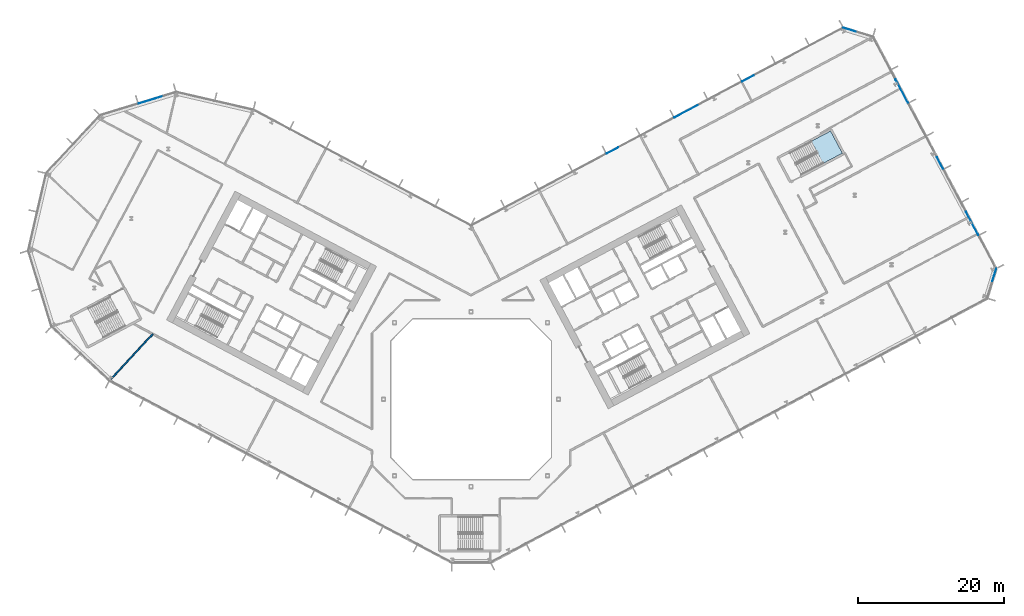
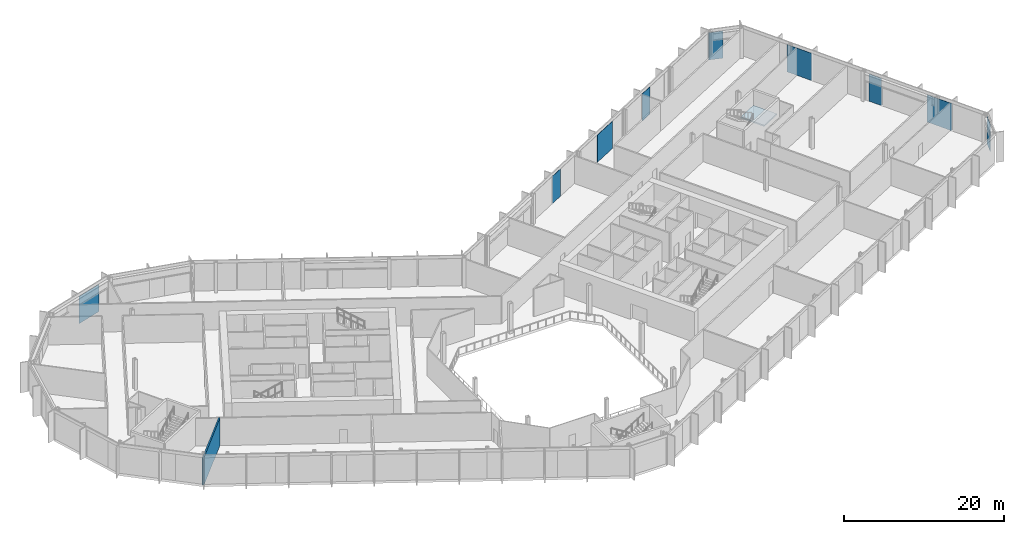
# One storey, part 13 of 31: 9 plates, 1 slab, 1 wall, 6 elements without a shape of their own.
"""IFC4 building model written with IfcOpenShell, lengths in metres."""

from ifc_helpers import new_model, si_unit, direction, frame, frame_2d, origin, origin_2d, place, context, subcontext, project, spatial, polyline, rectangle, outline, extrude, material, layer, layer_set, type_object, element, aggregate, save


model = new_model("IFC4")

# Units and contexts
model_context = context("Model", 3, precision=1e-05, world=origin(), true_north=direction((0.0, 1.0)))
body_context = subcontext(model_context, "Body", "Model", "MODEL_VIEW")
ifc_project = project(units=[si_unit("LENGTHUNIT", "METRE"), si_unit("AREAUNIT", "SQUARE_METRE"), si_unit("VOLUMEUNIT", "CUBIC_METRE"), si_unit("PLANEANGLEUNIT", "RADIAN"), si_unit("MASSUNIT", "GRAM", prefix="KILO")], contexts=[model_context])

# Site, building, storey
site_placement = place(None, origin())
site = spatial("IfcSite", under=ifc_project, at=site_placement, CompositionType="ELEMENT")
building_placement = place(site_placement, origin())
building = spatial("IfcBuilding", under=site, at=building_placement, Name="Cormorant Relay Tower", CompositionType="ELEMENT")
storey_placement = place(building_placement, frame((0.0, 0.0, 103.0)))
storey = spatial("IfcBuildingStorey", under=building, at=storey_placement, Name="L20", CompositionType="ELEMENT", Elevation=103.0)

# Curtain wall, plate
ifc_material_1 = material(Name="Aluminium 6063-T6 anodised bronze", Category="aluminium")
ifc_layer_1 = layer(ifc_material_1, 0.199951171875)
ifc_layer_set_1 = layer_set([ifc_layer_1], Name="CW1 unitised bronze curtain wall with vertical fins")
curtain_wall_type = type_object("IfcCurtainWallType", Name="CW1 unitised bronze curtain wall with vertical fins", PredefinedType="NOTDEFINED", material=ifc_layer_set_1)
curtain_wall_1_placement = place(storey_placement, origin())
curtain_wall_1 = element("IfcCurtainWall", 1, at=curtain_wall_1_placement, inside=storey, type_object=curtain_wall_type, Name="CW1 curtain wall 3", PredefinedType="NOTDEFINED")
ifc_material_2 = material(Name="Tinted laminated glass", Category="glass")
ifc_layer_2 = layer(ifc_material_2, 0.0400390625)
ifc_layer_set_2 = layer_set([ifc_layer_2], Name="CW1 tinted vision panel 1800 module")
plate_type_1 = type_object("IfcPlateType", Name="CW1 tinted vision panel 1800 module", PredefinedType="CURTAIN_PANEL", material=ifc_layer_set_2)
plate_1_placement = place(storey_placement, frame((71.77880859375, 17.04248046875, 0.0), z_axis=(0.0, 0.0, 1.0), x_axis=(0.292371704723, 0.956304755963, 0.0)))
plate_1 = element("IfcPlate", 2, at=plate_1_placement, type_object=plate_type_1, Name="CW1 panel V01", PredefinedType="CURTAIN_PANEL", context=body_context, shape_type="SweptSolid", body=[
    extrude(rectangle(XDim=1.800048828125, YDim=0.0400390625, at=origin_2d()), origin(), (0.0, 0.0, 1.0), 4.14990234375),
])
aggregate(curtain_wall_1, [plate_1])

curtain_wall_2_placement = place(storey_placement, origin())
curtain_wall_2 = element("IfcCurtainWall", 3, at=curtain_wall_2_placement, inside=storey, type_object=curtain_wall_type, Name="CW1 curtain wall 4", PredefinedType="NOTDEFINED")
plate_2_placement = place(storey_placement, frame((64.33935546875, 32.40185546875, 0.0), z_axis=(0.0, 0.0, 1.0), x_axis=(-0.469471562786, 0.882947592859, 0.0)))
plate_2 = element("IfcPlate", 4, at=plate_2_placement, type_object=plate_type_1, Name="CW1 panel V03", PredefinedType="CURTAIN_PANEL", context=body_context, shape_type="SweptSolid", body=[
    extrude(rectangle(XDim=1.800048828125, YDim=0.0400390625, at=origin_2d()), origin(), (0.0, 0.0, 1.0), 4.14990234375),
])

curtain_wall_3_placement = place(storey_placement, origin())
curtain_wall_3 = element("IfcCurtainWall", 5, at=curtain_wall_3_placement, inside=storey, type_object=curtain_wall_type, Name="CW1 curtain wall 5", PredefinedType="NOTDEFINED")
plate_3_placement = place(storey_placement, frame((51.930908203125, 50.69140625, 0.0), z_axis=(0.0, 0.0, 1.0), x_axis=(-0.956304755963, 0.292371704723, 0.0)))
plate_3 = element("IfcPlate", 6, at=plate_3_placement, type_object=plate_type_1, Name="CW1 panel V01", PredefinedType="CURTAIN_PANEL", context=body_context, shape_type="SweptSolid", body=[
    extrude(rectangle(XDim=1.800048828125, YDim=0.0400390625, at=origin_2d()), origin(), (0.0, 0.0, 1.0), 4.14990234375),
])
aggregate(curtain_wall_3, [plate_3])

# Curtain wall, plates
curtain_wall_4_placement = place(storey_placement, origin())
curtain_wall_4 = element("IfcCurtainWall", 7, at=curtain_wall_4_placement, inside=storey, type_object=curtain_wall_type, Name="CW1 curtain wall 6", PredefinedType="NOTDEFINED")
plate_4_placement = place(storey_placement, frame((37.9892578125, 44.005859375, 0.0), z_axis=(0.0, 0.0, 1.0), x_axis=(-0.882947592859, -0.469471562786, 0.0)))
plate_4 = element("IfcPlate", 8, at=plate_4_placement, type_object=plate_type_1, Name="CW1 panel V02", PredefinedType="CURTAIN_PANEL", context=body_context, shape_type="SweptSolid", body=[
    extrude(rectangle(XDim=1.800048828125, YDim=0.0400390625, at=origin_2d()), origin(), (0.0, 0.0, 1.0), 4.14990234375),
])
plate_5_placement = place(storey_placement, frame((19.42041015625, 34.132568359375, 0.0), z_axis=(0.0, 0.0, 1.0), x_axis=(-0.882947592859, -0.469471562786, 0.0)))
plate_5 = element("IfcPlate", 9, at=plate_5_placement, type_object=plate_type_1, Name="CW1 panel V06", PredefinedType="CURTAIN_PANEL", context=body_context, shape_type="SweptSolid", body=[
    extrude(rectangle(XDim=1.800048828125, YDim=0.0400390625, at=origin_2d()), origin(), (0.0, 0.0, 1.0), 4.14990234375),
])

# Plate
ifc_material_3 = material(Name="Tinted laminated glass", Category="glass")
ifc_layer_3 = layer(ifc_material_3, 0.0400390625)
ifc_layer_set_3 = layer_set([ifc_layer_3], Name="CW1 tinted vision panel 3600 module")
plate_type_2 = type_object("IfcPlateType", Name="CW1 tinted vision panel 3600 module", PredefinedType="CURTAIN_PANEL", material=ifc_layer_set_3)
plate_6_placement = place(storey_placement, frame((68.74560546875, 24.11474609375, 0.0), z_axis=(0.0, 0.0, 1.0), x_axis=(-0.469471562786, 0.882947592859, 0.0)))
plate_6 = element("IfcPlate", 10, at=plate_6_placement, type_object=plate_type_2, Name="CW1 panel V01", PredefinedType="CURTAIN_PANEL", context=body_context, shape_type="SweptSolid", body=[
    extrude(rectangle(XDim=3.60009765625, YDim=0.0400390625, at=origin_2d()), origin(), (0.0, 0.0, 1.0), 4.14990234375),
])

plate_7_placement = place(storey_placement, frame((59.087890625, 42.2783203125, 0.0), z_axis=(0.0, 0.0, 1.0), x_axis=(-0.469471562786, 0.882947592859, 0.0)))
plate_7 = element("IfcPlate", 11, at=plate_7_placement, type_object=plate_type_2, Name="CW1 panel V05", PredefinedType="CURTAIN_PANEL", context=body_context, shape_type="SweptSolid", body=[
    extrude(rectangle(XDim=3.60009765625, YDim=0.0400390625, at=origin_2d()), origin(), (0.0, 0.0, 1.0), 4.14990234375),
])

aggregate(curtain_wall_2, [plate_6, plate_2, plate_7])

plate_8_placement = place(storey_placement, frame((29.49951171875, 39.49169921875, 0.0), z_axis=(0.0, 0.0, 1.0), x_axis=(-0.882947592859, -0.469471562786, 0.0)))
plate_8 = element("IfcPlate", 12, at=plate_8_placement, type_object=plate_type_2, Name="CW1 panel V04", PredefinedType="CURTAIN_PANEL", context=body_context, shape_type="SweptSolid", body=[
    extrude(rectangle(XDim=3.60009765625, YDim=0.0400390625, at=origin_2d()), origin(), (0.0, 0.0, 1.0), 4.14990234375),
])

aggregate(curtain_wall_4, [plate_4, plate_8, plate_5])

# Curtain wall, plate
curtain_wall_5_placement = place(storey_placement, origin())
curtain_wall_5 = element("IfcCurtainWall", 13, at=curtain_wall_5_placement, inside=storey, type_object=curtain_wall_type, Name="CW1 curtain wall 9", PredefinedType="NOTDEFINED")
plate_9_placement = place(storey_placement, frame((-43.8759765625, 41.091796875, 0.0), z_axis=(0.0, 0.0, 1.0), x_axis=(-0.956304755963, -0.292371704723, 0.0)))
plate_9 = element("IfcPlate", 14, at=plate_9_placement, type_object=plate_type_2, Name="CW1 panel V01", PredefinedType="CURTAIN_PANEL", context=body_context, shape_type="SweptSolid", body=[
    extrude(rectangle(XDim=3.60009765625, YDim=0.0400390625, at=origin_2d()), origin(), (0.0, 0.0, 1.0), 4.14990234375),
])
aggregate(curtain_wall_5, [plate_9])

# Stair, slab
ifc_material_4 = material(Name="Concrete 40 MPa", Category="concrete")
stair_type = type_object("IfcStairType", Name="Exit stair 1500", PredefinedType="HALF_TURN_STAIR", material=ifc_material_4)
stair_placement = place(storey_placement, origin())
stair = element("IfcStair", 15, at=stair_placement, inside=storey, type_object=stair_type, Name="L20 Stair", PredefinedType="HALF_TURN_STAIR")
ifc_material_5 = material(Name="Concrete 40 MPa", Category="concrete")
ifc_layer_4 = layer(ifc_material_5, 0.199951171875)
ifc_layer_set_4 = layer_set([ifc_layer_4], Name="Exit stair landing 200")
slab_type = type_object("IfcSlabType", Name="Exit stair landing 200", PredefinedType="LANDING", material=ifc_layer_set_4)
slab_placement = place(storey_placement, frame((0.0, 0.0, 2.10009765625)))
slab = element("IfcSlab", 16, at=slab_placement, type_object=slab_type, Name="RB1 landing 1", PredefinedType="LANDING", context=body_context, shape_type="SweptSolid", body=[
    extrude(outline(polyline([(48.301513671875, 32.35107421875), (50.941650390625, 33.7548828125), (49.322021484375, 36.801025390625), (46.681884765625, 35.397216796875), (48.301513671875, 32.35107421875)])), origin(), (0.0, 0.0, 1.0), 0.199951171875),
])
aggregate(stair, [slab])

# Wall
ifc_material_6 = material(Name="Fire-rated gypsum board partition")
ifc_layer_5 = layer(ifc_material_6, 0.199951171875)
ifc_layer_set_5 = layer_set([ifc_layer_5], Name="Fire-rated gypsum partition 200")
wall_type = type_object("IfcWallType", Name="Fire-rated gypsum partition 200", PredefinedType="PARTITIONING", material=ifc_layer_set_5)
wall_placement = place(storey_placement, frame((-43.660888671875, 8.944091796875, 0.0), z_axis=(0.0, 0.0, 1.0), x_axis=(-0.682024103878, -0.731329694276, 0.0)))
element("IfcWall", 17, at=wall_placement, inside=storey, type_object=wall_type, Name="wall/L20/part/6", PredefinedType="PARTITIONING", context=body_context, shape_type="SweptSolid", body=[
    extrude(rectangle(XDim=8.90283203125, YDim=0.199951171875, at=frame_2d((4.451416015625, 0.0))), origin(), (0.0, 0.0, 1.0), 4.199951171875),
])

save(model, "model.ifc")
